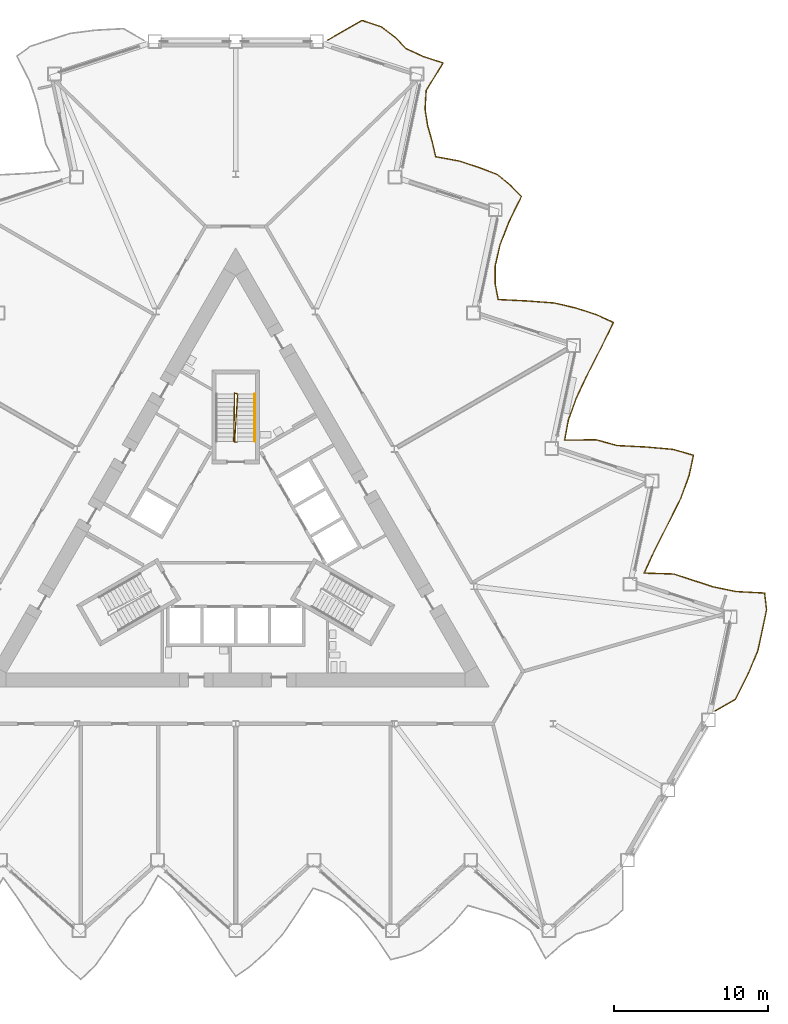
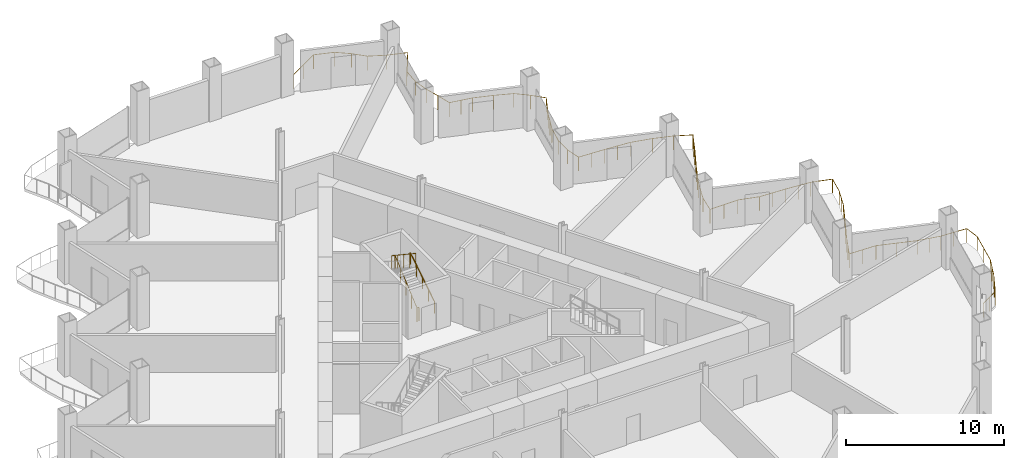
# One storey, part 19 of 21: 3 railings.
"""IFC4 building model written with IfcOpenShell, lengths in metres."""

from ifc_helpers import new_model, si_unit, direction, frame, origin, origin_2d, place, context, subcontext, project, spatial, circle, extrude, material, type_object, element, save


model = new_model("IFC4")

# Units and contexts
model_context = context("Model", 3, precision=1e-05, world=origin(), true_north=direction((0.0, 1.0)))
body_context = subcontext(model_context, "Body", "Model", "MODEL_VIEW")
ifc_project = project(units=[si_unit("LENGTHUNIT", "METRE"), si_unit("AREAUNIT", "SQUARE_METRE"), si_unit("VOLUMEUNIT", "CUBIC_METRE"), si_unit("PLANEANGLEUNIT", "RADIAN"), si_unit("MASSUNIT", "GRAM", prefix="KILO")], contexts=[model_context])

# Site, building, storey
site_placement = place(None, origin())
site = spatial("IfcSite", under=ifc_project, at=site_placement, CompositionType="ELEMENT")
building_placement = place(site_placement, origin())
building = spatial("IfcBuilding", under=site, at=building_placement, Name="Cormorant Prow Tower", CompositionType="ELEMENT")
storey_placement = place(building_placement, frame((0.0, 0.0, 133.199951171875)))
storey = spatial("IfcBuildingStorey", under=building, at=storey_placement, Name="L28", CompositionType="ELEMENT", Elevation=133.199951171875)

# Railings
ifc_material_1 = material(Name="Aluminium 6063-T6", Category="aluminium")
railing_type_1 = type_object("IfcRailingType", Name="Balcony guard 1100", PredefinedType="GUARDRAIL", material=ifc_material_1)
railing_1_placement = place(storey_placement, frame((31.207275390625, -11.1005859375, 0.0)))
element("IfcRailing", 1, at=railing_1_placement, inside=storey, type_object=railing_type_1, Name="Balcony guard ENE", PredefinedType="GUARDRAIL", context=body_context, shape_type="SweptSolid", body=[
    extrude(circle(Radius=0.02392578125, at=origin_2d()), frame((0.0, 0.0, 1.076171875), z_axis=(0.865990296034, 0.500060803479, 0.0), x_axis=(-0.500060803479, 0.865990296034, 0.0)), (0.0, 0.0, 1.0), 1.519775390625),
    extrude(circle(Radius=0.02392578125, at=origin_2d()), frame((1.316162109375, 0.760009765625, 1.076171875), z_axis=(0.451392924981, 0.892325292299, 0.0), x_axis=(-0.892325292299, 0.451392924981, 0.0)), (0.0, 0.0, 1.0), 1.84375),
    extrude(circle(Radius=0.02392578125, at=origin_2d()), frame((2.1484375, 2.4052734375, 1.076171875), z_axis=(0.385615377033, 0.922659623586, 0.0), x_axis=(-0.922659623586, 0.385615377033, 0.0)), (0.0, 0.0, 1.0), 1.663818359375),
    extrude(circle(Radius=0.02392578125, at=origin_2d()), frame((2.7900390625, 3.9404296875, 1.076171875), z_axis=(0.20793189794, 0.978143305359, 0.0), x_axis=(-0.978143305359, 0.20793189794, 0.0)), (0.0, 0.0, 1.0), 1.357421875),
    extrude(circle(Radius=0.02392578125, at=origin_2d()), frame((3.072265625, 5.26806640625, 1.076171875), z_axis=(0.20793189794, 0.978143305359, 0.0), x_axis=(-0.978143305359, 0.20793189794, 0.0)), (0.0, 0.0, 1.0), 1.357421875),
    extrude(circle(Radius=0.02392578125, at=origin_2d()), frame((3.3544921875, 6.595703125, 1.076171875), z_axis=(-0.119048700722, 0.992888416116, 0.0), x_axis=(-0.992888416116, -0.119048700722, 0.0)), (0.0, 0.0, 1.0), 1.09716796875),
    extrude(circle(Radius=0.02392578125, at=origin_2d()), frame((3.223876953125, 7.68505859375, 1.076171875), z_axis=(-0.998614548542, 0.052621131124, 0.0), x_axis=(-0.052621131124, -0.998614548542, 0.0)), (0.0, 0.0, 1.0), 1.851318359375),
    extrude(circle(Radius=0.02392578125, at=origin_2d()), frame((1.375244140625, 7.782470703125, 1.076171875), z_axis=(-0.979712782636, 0.200406745243, 0.0), x_axis=(-0.200406745243, -0.979712782636, 0.0)), (0.0, 0.0, 1.0), 1.520263671875),
    extrude(circle(Radius=0.02392578125, at=origin_2d()), frame((-0.1142578125, 8.087158203125, 1.076171875), z_axis=(-0.95106578465, 0.308988467857, 0.0), x_axis=(-0.308988467857, -0.95106578465, 0.0)), (0.0, 0.0, 1.0), 1.357421875),
    extrude(circle(Radius=0.02392578125, at=origin_2d()), frame((-1.4052734375, 8.506591796875, 1.076171875), z_axis=(-0.951048608924, 0.309041329701, 0.0), x_axis=(-0.309041329701, -0.951048608924, 0.0)), (0.0, 0.0, 1.0), 1.357177734375),
    extrude(circle(Radius=0.02392578125, at=origin_2d()), frame((-2.696044921875, 8.926025390625, 1.076171875), z_axis=(-0.999507836964, 0.031370110729, 0.0), x_axis=(-0.031370110729, -0.999507836964, 0.0)), (0.0, 0.0, 1.0), 1.91455078125),
    extrude(circle(Radius=0.02392578125, at=origin_2d()), frame((-4.609619140625, 8.986083984375, 1.076171875), z_axis=(0.415726590735, 0.90948963807, 0.0), x_axis=(-0.90948963807, 0.415726590735, 0.0)), (0.0, 0.0, 1.0), 1.739501953125),
    extrude(circle(Radius=0.02392578125, at=origin_2d()), frame((-3.886474609375, 10.568115234375, 1.076171875), z_axis=(0.45545157054, 0.890260561236, 0.0), x_axis=(-0.890260561236, 0.45545157054, 0.0)), (0.0, 0.0, 1.0), 1.85693359375),
    extrude(circle(Radius=0.02392578125, at=origin_2d()), frame((-3.040771484375, 12.22119140625, 1.076171875), z_axis=(0.445124600934, 0.895468642468, 0.0), x_axis=(-0.895468642468, 0.445124600934, 0.0)), (0.0, 0.0, 1.0), 1.82421875),
    extrude(circle(Radius=0.02392578125, at=origin_2d()), frame((-2.228759765625, 13.854736328125, 1.076171875), z_axis=(0.343401111987, 0.939188839524, 0.0), x_axis=(-0.939188839524, 0.343401111987, 0.0)), (0.0, 0.0, 1.0), 1.572021484375),
    extrude(circle(Radius=0.02392578125, at=origin_2d()), frame((-1.68896484375, 15.3310546875, 1.076171875), z_axis=(0.20793189794, 0.978143305359, 0.0), x_axis=(-0.978143305359, 0.20793189794, 0.0)), (0.0, 0.0, 1.0), 1.357421875),
    extrude(circle(Radius=0.02392578125, at=origin_2d()), frame((-1.40673828125, 16.65869140625, 1.076171875), z_axis=(-0.962318282404, 0.271925584215, 0.0), x_axis=(-0.271925584215, -0.962318282404, 0.0)), (0.0, 0.0, 1.0), 1.40771484375),
    extrude(circle(Radius=0.02392578125, at=origin_2d()), frame((-2.761474609375, 17.04150390625, 1.076171875), z_axis=(-0.996190400815, 0.087204846907, 0.0), x_axis=(-0.087204846907, -0.996190400815, 0.0)), (0.0, 0.0, 1.0), 1.758056640625),
    extrude(circle(Radius=0.02392578125, at=origin_2d()), frame((-4.512939453125, 17.19482421875, 1.076171875), z_axis=(-0.998782260805, 0.049335539945, 0.0), x_axis=(-0.049335539945, -0.998782260805, 0.0)), (0.0, 0.0, 1.0), 1.860595703125),
    extrude(circle(Radius=0.02392578125, at=origin_2d()), frame((-6.371337890625, 17.28662109375, 1.076171875), z_axis=(-0.96447330574, 0.264180321968, 0.0), x_axis=(-0.264180321968, -0.96447330574, 0.0)), (0.0, 0.0, 1.0), 1.41845703125),
    extrude(circle(Radius=0.02392578125, at=origin_2d()), frame((-7.739501953125, 17.661376953125, 1.076171875), z_axis=(-0.999948928032, -0.010106499273, 0.0), x_axis=(0.010106499273, -0.999948928032, 0.0)), (0.0, 0.0, 1.0), 2.05322265625),
    extrude(circle(Radius=0.02392578125, at=origin_2d()), frame((-9.792724609375, 17.640625, 1.076171875), z_axis=(0.182978187122, 0.983116973222, 0.0), x_axis=(-0.983116973222, 0.182978187122, 0.0)), (0.0, 0.0, 1.0), 1.32763671875),
    extrude(circle(Radius=0.02392578125, at=origin_2d()), frame((-9.5498046875, 18.94580078125, 1.076171875), z_axis=(0.342467233812, 0.939529772687, 0.0), x_axis=(-0.939529772687, 0.342467233812, 0.0)), (0.0, 0.0, 1.0), 1.56982421875),
    extrude(circle(Radius=0.02392578125, at=origin_2d()), frame((-9.01220703125, 20.420654296875, 1.076171875), z_axis=(0.42869500027, 0.903449277349, 0.0), x_axis=(-0.903449277349, 0.42869500027, 0.0)), (0.0, 0.0, 1.0), 1.775634765625),
    extrude(circle(Radius=0.02392578125, at=origin_2d()), frame((-8.2509765625, 22.02490234375, 1.076171875), z_axis=(0.457303588678, 0.889310647514, 0.0), x_axis=(-0.889310647514, 0.457303588678, 0.0)), (0.0, 0.0, 1.0), 1.86279296875),
    extrude(circle(Radius=0.02392578125, at=origin_2d()), frame((-7.399169921875, 23.681396484375, 1.076171875), z_axis=(0.436426755308, 0.899739788634, 0.0), x_axis=(-0.899739788634, 0.436426755308, 0.0)), (0.0, 0.0, 1.0), 1.7978515625),
    extrude(circle(Radius=0.02392578125, at=origin_2d()), frame((-6.614501953125, 25.299072265625, 1.076171875), z_axis=(-0.909642662794, 0.415391653773, 0.0), x_axis=(-0.415391653773, -0.909642662794, 0.0)), (0.0, 0.0, 1.0), 1.23828125),
    extrude(circle(Radius=0.02392578125, at=origin_2d()), frame((-7.740966796875, 25.8134765625, 1.076171875), z_axis=(-0.95106578465, 0.308988467857, 0.0), x_axis=(-0.308988467857, -0.95106578465, 0.0)), (0.0, 0.0, 1.0), 1.357421875),
    extrude(circle(Radius=0.02392578125, at=origin_2d()), frame((-9.031982421875, 26.23291015625, 1.076171875), z_axis=(-0.97374832443, 0.227627328475, 0.0), x_axis=(-0.227627328475, -0.97374832443, 0.0)), (0.0, 0.0, 1.0), 1.474853515625),
    extrude(circle(Radius=0.02392578125, at=origin_2d()), frame((-10.468017578125, 26.568603515625, 1.076171875), z_axis=(-0.997228200016, 0.074403743811, 0.0), x_axis=(-0.074403743811, -0.997228200016, 0.0)), (0.0, 0.0, 1.0), 1.79150390625),
    extrude(circle(Radius=0.02392578125, at=origin_2d()), frame((-12.254638671875, 26.701904296875, 1.076171875), z_axis=(-0.998830477716, 0.048349527257, 0.0), x_axis=(-0.048349527257, -0.998830477716, 0.0)), (0.0, 0.0, 1.0), 1.86328125),
    extrude(circle(Radius=0.02392578125, at=origin_2d()), frame((-14.11572265625, 26.7919921875, 1.076171875), z_axis=(-0.191359769009, 0.981519963528, 0.0), x_axis=(-0.981519963528, -0.191359769009, 0.0)), (0.0, 0.0, 1.0), 1.066650390625),
    extrude(circle(Radius=0.02392578125, at=origin_2d()), frame((-14.31982421875, 27.8388671875, 1.076171875), z_axis=(0.012277950627, 0.999924623123, 0.0), x_axis=(-0.999924623123, 0.012277950627, 0.0)), (0.0, 0.0, 1.0), 1.173095703125),
    extrude(circle(Radius=0.02392578125, at=origin_2d()), frame((-14.305419921875, 29.011962890625, 1.076171875), z_axis=(0.223214723197, 0.974769299552, 0.0), x_axis=(-0.974769299552, 0.223214723197, 0.0)), (0.0, 0.0, 1.0), 1.376953125),
    extrude(circle(Radius=0.02392578125, at=origin_2d()), frame((-13.998046875, 30.354248046875, 1.076171875), z_axis=(0.366291211804, 0.930500267681, 0.0), x_axis=(-0.930500267681, 0.366291211804, 0.0)), (0.0, 0.0, 1.0), 1.61962890625),
    extrude(circle(Radius=0.02392578125, at=origin_2d()), frame((-13.40478515625, 31.861328125, 1.076171875), z_axis=(0.439193160602, 0.898392657851, 0.0), x_axis=(-0.898392657851, 0.439193160602, 0.0)), (0.0, 0.0, 1.0), 1.80615234375),
    extrude(circle(Radius=0.02392578125, at=origin_2d()), frame((-12.611572265625, 33.48388671875, 1.076171875), z_axis=(-0.694791435855, 0.719211276791, 0.0), x_axis=(-0.719211276791, -0.694791435855, 0.0)), (0.0, 0.0, 1.0), 1.039794921875),
    extrude(circle(Radius=0.02392578125, at=origin_2d()), frame((-13.333984375, 34.231689453125, 1.076171875), z_axis=(-0.765754160623, 0.64313339634, 0.0), x_axis=(-0.64313339634, -0.765754160623, 0.0)), (0.0, 0.0, 1.0), 1.0732421875),
    extrude(circle(Radius=0.02392578125, at=origin_2d()), frame((-14.15576171875, 34.921875, 1.076171875), z_axis=(-0.93327766903, 0.359155666097, 0.0), x_axis=(-0.359155666097, -0.93327766903, 0.0)), (0.0, 0.0, 1.0), 1.296875),
    extrude(circle(Radius=0.02392578125, at=origin_2d()), frame((-15.3662109375, 35.3876953125, 1.076171875), z_axis=(-0.951048608924, 0.309041329701, 0.0), x_axis=(-0.309041329701, -0.951048608924, 0.0)), (0.0, 0.0, 1.0), 1.357177734375),
    extrude(circle(Radius=0.02392578125, at=origin_2d()), frame((-16.656982421875, 35.80712890625, 1.076171875), z_axis=(-0.983273667202, 0.182134278454, 0.0), x_axis=(-0.182134278454, -0.983273667202, 0.0)), (0.0, 0.0, 1.0), 1.553466796875),
    extrude(circle(Radius=0.02392578125, at=origin_2d()), frame((-18.1845703125, 36.090087890625, 1.076171875), z_axis=(-0.229969566072, 0.973197820939, 0.0), x_axis=(-0.973197820939, -0.229969566072, 0.0)), (0.0, 0.0, 1.0), 1.05322265625),
    extrude(circle(Radius=0.02392578125, at=origin_2d()), frame((-18.4267578125, 37.114990234375, 1.076171875), z_axis=(-0.272179004707, 0.962246636469, 0.0), x_axis=(-0.962246636469, -0.272179004707, 0.0)), (0.0, 0.0, 1.0), 1.04052734375),
    extrude(circle(Radius=0.02392578125, at=origin_2d()), frame((-18.7099609375, 38.1162109375, 1.076171875), z_axis=(-0.154941834834, 0.98792359412, 0.0), x_axis=(-0.98792359412, -0.154941834834, 0.0)), (0.0, 0.0, 1.0), 1.080810546875),
    extrude(circle(Radius=0.02392578125, at=origin_2d()), frame((-18.87744140625, 39.18408203125, 1.076171875), z_axis=(0.060178013957, 0.998187661032, 0.0), x_axis=(-0.998187661032, 0.060178013957, 0.0)), (0.0, 0.0, 1.0), 1.208984375),
    extrude(circle(Radius=0.02392578125, at=origin_2d()), frame((-18.8046875, 40.390869140625, 1.076171875), z_axis=(0.521173584421, 0.853450698577, 0.0), x_axis=(-0.853450698577, 0.521173584421, 0.0)), (0.0, 0.0, 1.0), 2.10791015625),
    extrude(circle(Radius=0.02392578125, at=origin_2d()), frame((-17.7060546875, 42.18994140625, 1.076171875), z_axis=(-0.95106578465, 0.308988467857, 0.0), x_axis=(-0.308988467857, -0.95106578465, 0.0)), (0.0, 0.0, 1.0), 1.357421875),
    extrude(circle(Radius=0.02392578125, at=origin_2d()), frame((-18.9970703125, 42.609375, 1.076171875), z_axis=(-0.90718713922, 0.420727339774, 0.0), x_axis=(-0.420727339774, -0.90718713922, 0.0)), (0.0, 0.0, 1.0), 1.233154296875),
    extrude(circle(Radius=0.02392578125, at=origin_2d()), frame((-20.11572265625, 43.128173828125, 1.076171875), z_axis=(-0.70110619683, 0.71305687064, 0.0), x_axis=(-0.71305687064, -0.70110619683, 0.0)), (0.0, 0.0, 1.0), 1.0419921875),
    extrude(circle(Radius=0.02392578125, at=origin_2d()), frame((-20.84619140625, 43.87109375, 1.076171875), z_axis=(-0.790629243767, 0.61229518935, 0.0), x_axis=(-0.61229518935, -0.790629243767, 0.0)), (0.0, 0.0, 1.0), 1.08984375),
    extrude(circle(Radius=0.02392578125, at=origin_2d()), frame((-21.707763671875, 44.538330078125, 1.076171875), z_axis=(-0.949582418545, 0.313517512095, 0.0), x_axis=(-0.313517512095, -0.949582418545, 0.0)), (0.0, 0.0, 1.0), 1.351806640625),
    extrude(circle(Radius=0.02392578125, at=origin_2d()), frame((-22.991455078125, 44.962158203125, 1.076171875), z_axis=(-0.86598941085, -0.50006233641, 0.0), x_axis=(0.50006233641, -0.86598941085, 0.0)), (0.0, 0.0, 1.0), 2.570068359375),
    extrude(circle(Radius=0.02099609375, at=origin_2d()), origin(), (0.0, 0.0, 1.0), 1.052001953125),
    extrude(circle(Radius=0.02099609375, at=origin_2d()), frame((0.658203125, 0.3798828125, 0.0)), (0.0, 0.0, 1.0), 1.052001953125),
    extrude(circle(Radius=0.02099609375, at=origin_2d()), frame((1.316162109375, 0.760009765625, 0.0)), (0.0, 0.0, 1.0), 1.052001953125),
    extrude(circle(Radius=0.02099609375, at=origin_2d()), frame((1.732421875, 1.58251953125, 0.0)), (0.0, 0.0, 1.0), 1.052001953125),
    extrude(circle(Radius=0.02099609375, at=origin_2d()), frame((2.1484375, 2.4052734375, 0.0)), (0.0, 0.0, 1.0), 1.052001953125),
    extrude(circle(Radius=0.02099609375, at=origin_2d()), frame((2.46923828125, 3.1728515625, 0.0)), (0.0, 0.0, 1.0), 1.052001953125),
    extrude(circle(Radius=0.02099609375, at=origin_2d()), frame((2.7900390625, 3.9404296875, 0.0)), (0.0, 0.0, 1.0), 1.052001953125),
    extrude(circle(Radius=0.02099609375, at=origin_2d()), frame((3.072265625, 5.26806640625, 0.0)), (0.0, 0.0, 1.0), 1.052001953125),
    extrude(circle(Radius=0.02099609375, at=origin_2d()), frame((3.3544921875, 6.595703125, 0.0)), (0.0, 0.0, 1.0), 1.052001953125),
    extrude(circle(Radius=0.02099609375, at=origin_2d()), frame((3.223876953125, 7.68505859375, 0.0)), (0.0, 0.0, 1.0), 1.052001953125),
    extrude(circle(Radius=0.02099609375, at=origin_2d()), frame((2.299560546875, 7.73388671875, 0.0)), (0.0, 0.0, 1.0), 1.052001953125),
    extrude(circle(Radius=0.02099609375, at=origin_2d()), frame((1.375244140625, 7.782470703125, 0.0)), (0.0, 0.0, 1.0), 1.052001953125),
    extrude(circle(Radius=0.02099609375, at=origin_2d()), frame((0.63037109375, 7.934814453125, 0.0)), (0.0, 0.0, 1.0), 1.052001953125),
    extrude(circle(Radius=0.02099609375, at=origin_2d()), frame((-0.1142578125, 8.087158203125, 0.0)), (0.0, 0.0, 1.0), 1.052001953125),
    extrude(circle(Radius=0.02099609375, at=origin_2d()), frame((-1.4052734375, 8.506591796875, 0.0)), (0.0, 0.0, 1.0), 1.052001953125),
    extrude(circle(Radius=0.02099609375, at=origin_2d()), frame((-2.696044921875, 8.926025390625, 0.0)), (0.0, 0.0, 1.0), 1.052001953125),
    extrude(circle(Radius=0.02099609375, at=origin_2d()), frame((-3.65283203125, 8.9560546875, 0.0)), (0.0, 0.0, 1.0), 1.052001953125),
    extrude(circle(Radius=0.02099609375, at=origin_2d()), frame((-4.609619140625, 8.986083984375, 0.0)), (0.0, 0.0, 1.0), 1.052001953125),
    extrude(circle(Radius=0.02099609375, at=origin_2d()), frame((-4.248046875, 9.777099609375, 0.0)), (0.0, 0.0, 1.0), 1.052001953125),
    extrude(circle(Radius=0.02099609375, at=origin_2d()), frame((-3.886474609375, 10.568115234375, 0.0)), (0.0, 0.0, 1.0), 1.052001953125),
    extrude(circle(Radius=0.02099609375, at=origin_2d()), frame((-3.463623046875, 11.39453125, 0.0)), (0.0, 0.0, 1.0), 1.052001953125),
    extrude(circle(Radius=0.02099609375, at=origin_2d()), frame((-3.040771484375, 12.22119140625, 0.0)), (0.0, 0.0, 1.0), 1.052001953125),
    extrude(circle(Radius=0.02099609375, at=origin_2d()), frame((-2.634765625, 13.0380859375, 0.0)), (0.0, 0.0, 1.0), 1.052001953125),
    extrude(circle(Radius=0.02099609375, at=origin_2d()), frame((-2.228759765625, 13.854736328125, 0.0)), (0.0, 0.0, 1.0), 1.052001953125),
    extrude(circle(Radius=0.02099609375, at=origin_2d()), frame((-1.958984375, 14.5927734375, 0.0)), (0.0, 0.0, 1.0), 1.052001953125),
    extrude(circle(Radius=0.02099609375, at=origin_2d()), frame((-1.68896484375, 15.3310546875, 0.0)), (0.0, 0.0, 1.0), 1.052001953125),
    extrude(circle(Radius=0.02099609375, at=origin_2d()), frame((-1.40673828125, 16.65869140625, 0.0)), (0.0, 0.0, 1.0), 1.052001953125),
    extrude(circle(Radius=0.02099609375, at=origin_2d()), frame((-2.761474609375, 17.04150390625, 0.0)), (0.0, 0.0, 1.0), 1.052001953125),
    extrude(circle(Radius=0.02099609375, at=origin_2d()), frame((-3.63720703125, 17.1181640625, 0.0)), (0.0, 0.0, 1.0), 1.052001953125),
    extrude(circle(Radius=0.02099609375, at=origin_2d()), frame((-4.512939453125, 17.19482421875, 0.0)), (0.0, 0.0, 1.0), 1.052001953125),
    extrude(circle(Radius=0.02099609375, at=origin_2d()), frame((-5.442138671875, 17.24072265625, 0.0)), (0.0, 0.0, 1.0), 1.052001953125),
    extrude(circle(Radius=0.02099609375, at=origin_2d()), frame((-6.371337890625, 17.28662109375, 0.0)), (0.0, 0.0, 1.0), 1.052001953125),
    extrude(circle(Radius=0.02099609375, at=origin_2d()), frame((-7.739501953125, 17.661376953125, 0.0)), (0.0, 0.0, 1.0), 1.052001953125),
    extrude(circle(Radius=0.02099609375, at=origin_2d()), frame((-8.76611328125, 17.65087890625, 0.0)), (0.0, 0.0, 1.0), 1.052001953125),
    extrude(circle(Radius=0.02099609375, at=origin_2d()), frame((-9.792724609375, 17.640625, 0.0)), (0.0, 0.0, 1.0), 1.052001953125),
    extrude(circle(Radius=0.02099609375, at=origin_2d()), frame((-9.5498046875, 18.94580078125, 0.0)), (0.0, 0.0, 1.0), 1.052001953125),
    extrude(circle(Radius=0.02099609375, at=origin_2d()), frame((-9.281005859375, 19.68310546875, 0.0)), (0.0, 0.0, 1.0), 1.052001953125),
    extrude(circle(Radius=0.02099609375, at=origin_2d()), frame((-9.01220703125, 20.420654296875, 0.0)), (0.0, 0.0, 1.0), 1.052001953125),
    extrude(circle(Radius=0.02099609375, at=origin_2d()), frame((-8.631591796875, 21.22265625, 0.0)), (0.0, 0.0, 1.0), 1.052001953125),
    extrude(circle(Radius=0.02099609375, at=origin_2d()), frame((-8.2509765625, 22.02490234375, 0.0)), (0.0, 0.0, 1.0), 1.052001953125),
    extrude(circle(Radius=0.02099609375, at=origin_2d()), frame((-7.8251953125, 22.85302734375, 0.0)), (0.0, 0.0, 1.0), 1.052001953125),
    extrude(circle(Radius=0.02099609375, at=origin_2d()), frame((-7.399169921875, 23.681396484375, 0.0)), (0.0, 0.0, 1.0), 1.052001953125),
    extrude(circle(Radius=0.02099609375, at=origin_2d()), frame((-7.0068359375, 24.490234375, 0.0)), (0.0, 0.0, 1.0), 1.052001953125),
    extrude(circle(Radius=0.02099609375, at=origin_2d()), frame((-6.614501953125, 25.299072265625, 0.0)), (0.0, 0.0, 1.0), 1.052001953125),
    extrude(circle(Radius=0.02099609375, at=origin_2d()), frame((-7.740966796875, 25.8134765625, 0.0)), (0.0, 0.0, 1.0), 1.052001953125),
    extrude(circle(Radius=0.02099609375, at=origin_2d()), frame((-9.031982421875, 26.23291015625, 0.0)), (0.0, 0.0, 1.0), 1.052001953125),
    extrude(circle(Radius=0.02099609375, at=origin_2d()), frame((-10.468017578125, 26.568603515625, 0.0)), (0.0, 0.0, 1.0), 1.052001953125),
    extrude(circle(Radius=0.02099609375, at=origin_2d()), frame((-11.361328125, 26.63525390625, 0.0)), (0.0, 0.0, 1.0), 1.052001953125),
    extrude(circle(Radius=0.02099609375, at=origin_2d()), frame((-12.254638671875, 26.701904296875, 0.0)), (0.0, 0.0, 1.0), 1.052001953125),
    extrude(circle(Radius=0.02099609375, at=origin_2d()), frame((-13.18505859375, 26.7470703125, 0.0)), (0.0, 0.0, 1.0), 1.052001953125),
    extrude(circle(Radius=0.02099609375, at=origin_2d()), frame((-14.11572265625, 26.7919921875, 0.0)), (0.0, 0.0, 1.0), 1.052001953125),
    extrude(circle(Radius=0.02099609375, at=origin_2d()), frame((-14.31982421875, 27.8388671875, 0.0)), (0.0, 0.0, 1.0), 1.052001953125),
    extrude(circle(Radius=0.02099609375, at=origin_2d()), frame((-14.305419921875, 29.011962890625, 0.0)), (0.0, 0.0, 1.0), 1.052001953125),
    extrude(circle(Radius=0.02099609375, at=origin_2d()), frame((-13.998046875, 30.354248046875, 0.0)), (0.0, 0.0, 1.0), 1.052001953125),
    extrude(circle(Radius=0.02099609375, at=origin_2d()), frame((-13.701416015625, 31.10791015625, 0.0)), (0.0, 0.0, 1.0), 1.052001953125),
    extrude(circle(Radius=0.02099609375, at=origin_2d()), frame((-13.40478515625, 31.861328125, 0.0)), (0.0, 0.0, 1.0), 1.052001953125),
    extrude(circle(Radius=0.02099609375, at=origin_2d()), frame((-13.00830078125, 32.672607421875, 0.0)), (0.0, 0.0, 1.0), 1.052001953125),
    extrude(circle(Radius=0.02099609375, at=origin_2d()), frame((-12.611572265625, 33.48388671875, 0.0)), (0.0, 0.0, 1.0), 1.052001953125),
    extrude(circle(Radius=0.02099609375, at=origin_2d()), frame((-13.333984375, 34.231689453125, 0.0)), (0.0, 0.0, 1.0), 1.052001953125),
    extrude(circle(Radius=0.02099609375, at=origin_2d()), frame((-14.15576171875, 34.921875, 0.0)), (0.0, 0.0, 1.0), 1.052001953125),
    extrude(circle(Radius=0.02099609375, at=origin_2d()), frame((-15.3662109375, 35.3876953125, 0.0)), (0.0, 0.0, 1.0), 1.052001953125),
    extrude(circle(Radius=0.02099609375, at=origin_2d()), frame((-16.656982421875, 35.80712890625, 0.0)), (0.0, 0.0, 1.0), 1.052001953125),
    extrude(circle(Radius=0.02099609375, at=origin_2d()), frame((-17.4208984375, 35.94873046875, 0.0)), (0.0, 0.0, 1.0), 1.052001953125),
    extrude(circle(Radius=0.02099609375, at=origin_2d()), frame((-18.1845703125, 36.090087890625, 0.0)), (0.0, 0.0, 1.0), 1.052001953125),
    extrude(circle(Radius=0.02099609375, at=origin_2d()), frame((-18.4267578125, 37.114990234375, 0.0)), (0.0, 0.0, 1.0), 1.052001953125),
    extrude(circle(Radius=0.02099609375, at=origin_2d()), frame((-18.7099609375, 38.1162109375, 0.0)), (0.0, 0.0, 1.0), 1.052001953125),
    extrude(circle(Radius=0.02099609375, at=origin_2d()), frame((-18.87744140625, 39.18408203125, 0.0)), (0.0, 0.0, 1.0), 1.052001953125),
    extrude(circle(Radius=0.02099609375, at=origin_2d()), frame((-18.8046875, 40.390869140625, 0.0)), (0.0, 0.0, 1.0), 1.052001953125),
    extrude(circle(Radius=0.02099609375, at=origin_2d()), frame((-18.25537109375, 41.29052734375, 0.0)), (0.0, 0.0, 1.0), 1.052001953125),
    extrude(circle(Radius=0.02099609375, at=origin_2d()), frame((-17.7060546875, 42.18994140625, 0.0)), (0.0, 0.0, 1.0), 1.052001953125),
    extrude(circle(Radius=0.02099609375, at=origin_2d()), frame((-18.9970703125, 42.609375, 0.0)), (0.0, 0.0, 1.0), 1.052001953125),
    extrude(circle(Radius=0.02099609375, at=origin_2d()), frame((-20.11572265625, 43.128173828125, 0.0)), (0.0, 0.0, 1.0), 1.052001953125),
    extrude(circle(Radius=0.02099609375, at=origin_2d()), frame((-20.84619140625, 43.87109375, 0.0)), (0.0, 0.0, 1.0), 1.052001953125),
    extrude(circle(Radius=0.02099609375, at=origin_2d()), frame((-21.707763671875, 44.538330078125, 0.0)), (0.0, 0.0, 1.0), 1.052001953125),
    extrude(circle(Radius=0.02099609375, at=origin_2d()), frame((-22.991455078125, 44.962158203125, 0.0)), (0.0, 0.0, 1.0), 1.052001953125),
    extrude(circle(Radius=0.02099609375, at=origin_2d()), frame((-24.104248046875, 44.319580078125, 0.0)), (0.0, 0.0, 1.0), 1.052001953125),
    extrude(circle(Radius=0.02099609375, at=origin_2d()), frame((-25.217041015625, 43.677001953125, 0.0)), (0.0, 0.0, 1.0), 1.052001953125),
])
ifc_material_2 = material(Name="Stainless steel", Category="steel")
railing_type_2 = type_object("IfcRailingType", Name="Stair guard 1100", PredefinedType="GUARDRAIL", material=ifc_material_2)
railing_2_placement = place(storey_placement, frame((0.074951171875, 6.40576171875, 0.0)))
element("IfcRailing", 2, at=railing_2_placement, inside=storey, type_object=railing_type_2, Name="L28 ST3 stair guard 1", PredefinedType="GUARDRAIL", context=body_context, shape_type="SweptSolid", body=[
    extrude(circle(Radius=0.02392578125, at=origin_2d()), frame((0.0, 0.0, 1.076171875), z_axis=(-1.0, 0.0, 0.0), x_axis=(0.0, -1.0, 0.0)), (0.0, 0.0, 1.0), 0.14990234375),
    extrude(circle(Radius=0.02392578125, at=origin_2d()), frame((-0.14990234375, 0.0, 1.076171875), z_axis=(0.052971918151, 0.829246596605, 0.556366837532), x_axis=(-0.997965923181, 0.063749636618, 0.0)), (0.0, 0.0, 1.0), 3.774658203125),
    extrude(circle(Radius=0.02392578125, at=origin_2d()), frame((0.050048828125, 3.130126953125, 3.17626953125), z_axis=(-0.970072785993, 0.242814311512, 0.0), x_axis=(-0.242814311512, -0.970072785993, 0.0)), (0.0, 0.0, 1.0), 0.2060546875),
    extrude(circle(Radius=0.02392578125, at=origin_2d()), frame((-0.14990234375, 3.18017578125, 3.17626953125), z_axis=(-0.013277099958, -0.830369261271, 0.557055301162), x_axis=(0.999872194171, -0.015987348866, 0.0)), (0.0, 0.0, 1.0), 3.76953125),
    extrude(circle(Radius=0.02099609375, at=origin_2d()), origin(), (0.0, 0.0, 1.0), 1.052001953125),
    extrude(circle(Radius=0.02099609375, at=origin_2d()), frame((-0.14990234375, 0.0, 0.0)), (0.0, 0.0, 1.0), 1.052001953125),
    extrude(circle(Radius=0.02099609375, at=origin_2d()), frame((-0.099853515625, 0.782470703125, 0.52490234375)), (0.0, 0.0, 1.0), 1.052001953125),
    extrude(circle(Radius=0.02099609375, at=origin_2d()), frame((-0.0498046875, 1.56494140625, 1.050048828125)), (0.0, 0.0, 1.0), 1.052001953125),
    extrude(circle(Radius=0.02099609375, at=origin_2d()), frame((0.0, 2.34765625, 1.5751953125)), (0.0, 0.0, 1.0), 1.052001953125),
    extrude(circle(Radius=0.02099609375, at=origin_2d()), frame((0.050048828125, 3.130126953125, 2.10009765625)), (0.0, 0.0, 1.0), 1.052001953125),
    extrude(circle(Radius=0.02099609375, at=origin_2d()), frame((-0.14990234375, 3.18017578125, 2.10009765625)), (0.0, 0.0, 1.0), 1.052001953125),
    extrude(circle(Radius=0.02099609375, at=origin_2d()), frame((-0.162353515625, 2.397705078125, 2.625)), (0.0, 0.0, 1.0), 1.052001953125),
    extrude(circle(Radius=0.02099609375, at=origin_2d()), frame((-0.1748046875, 1.615234375, 3.14990234375)), (0.0, 0.0, 1.0), 1.052001953125),
    extrude(circle(Radius=0.02099609375, at=origin_2d()), frame((-0.1875, 0.83251953125, 3.675048828125)), (0.0, 0.0, 1.0), 1.052001953125),
    extrude(circle(Radius=0.02099609375, at=origin_2d()), frame((-0.199951171875, 0.050048828125, 4.199951171875)), (0.0, 0.0, 1.0), 1.052001953125),
])
ifc_material_3 = material(Name="Stainless steel", Category="steel")
railing_type_3 = type_object("IfcRailingType", Name="Stair handrail 900", PredefinedType="HANDRAIL", material=ifc_material_3)
railing_3_placement = place(storey_placement, frame((1.243896484375, 6.455810546875, 0.175048828125)))
element("IfcRailing", 3, at=railing_3_placement, inside=storey, type_object=railing_type_3, Name="L28 ST3 stair handrail 1", PredefinedType="HANDRAIL", context=body_context, shape_type="SweptSolid", body=[
    extrude(circle(Radius=0.02392578125, at=origin_2d()), frame((0.0, 0.0, 0.8759765625), z_axis=(0.0, 0.847998304005, 0.529998940003), x_axis=(-1.0, 0.0, 0.0)), (0.0, 0.0, 1.0), 3.632080078125),
    extrude(circle(Radius=0.02099609375, at=origin_2d()), origin(), (0.0, 0.0, 1.0), 0.851806640625),
    extrude(circle(Radius=0.02099609375, at=origin_2d()), frame((0.0, 0.77001953125, 0.481201171875)), (0.0, 0.0, 1.0), 0.851806640625),
    extrude(circle(Radius=0.02099609375, at=origin_2d()), frame((0.0, 1.5400390625, 0.96240234375)), (0.0, 0.0, 1.0), 0.851806640625),
    extrude(circle(Radius=0.02099609375, at=origin_2d()), frame((0.0, 2.31005859375, 1.44384765625)), (0.0, 0.0, 1.0), 0.851806640625),
    extrude(circle(Radius=0.02099609375, at=origin_2d()), frame((0.0, 3.080078125, 1.925048828125)), (0.0, 0.0, 1.0), 0.851806640625),
])

save(model, "model.ifc")
